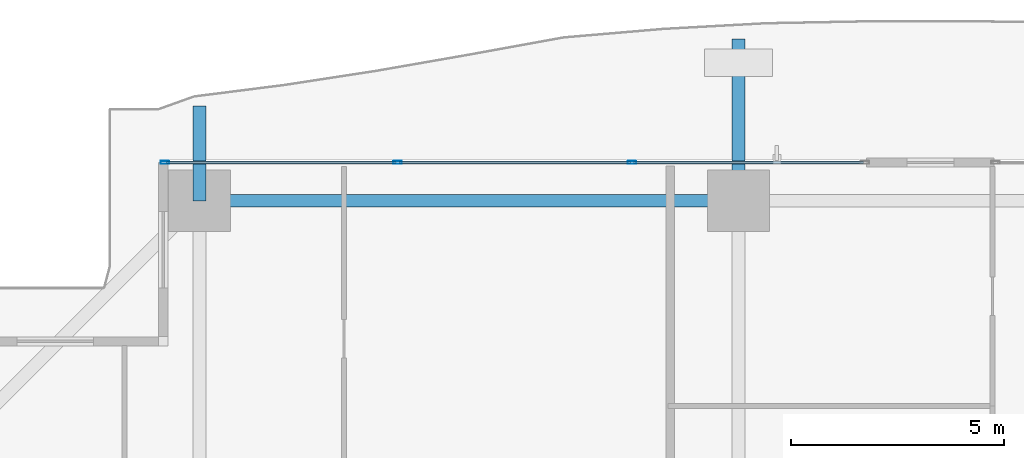
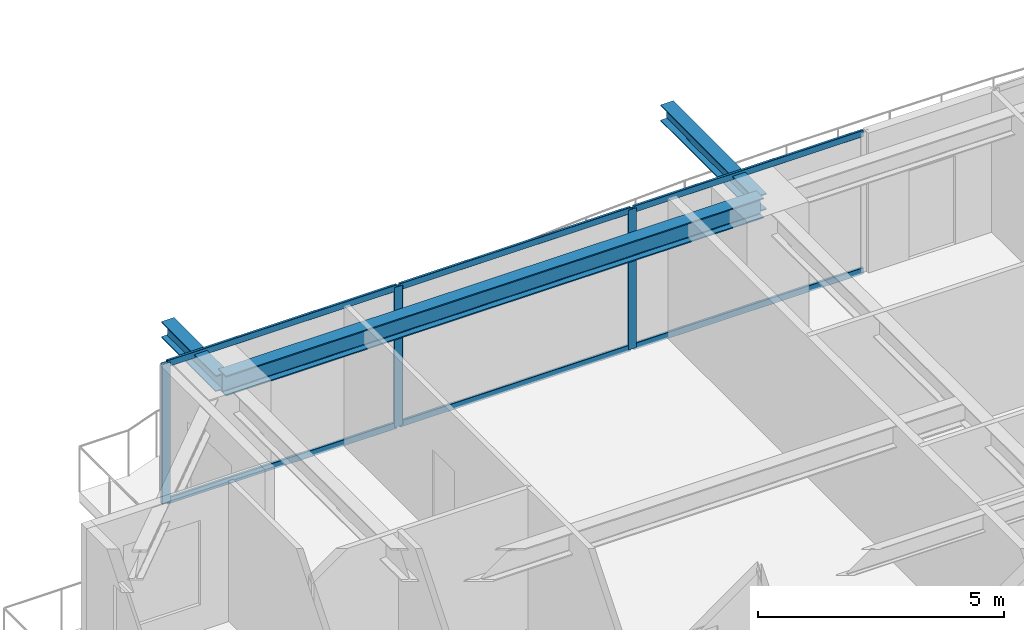
# One storey, part 20 of 38: 9 members, 3 beams, 1 element without a shape of its own.
"""IFC4 building model written with IfcOpenShell, lengths in metres."""

from ifc_helpers import new_model, si_unit, direction, frame, origin, origin_2d, place, context, subcontext, project, spatial, hollow_rectangle, i_section, extrude, source, transform, mapped, material, layer, layer_set, material_profile, profile_set, type_object, element, aggregate, save


model = new_model("IFC4")

# Units and contexts
model_context = context("Model", 3, precision=1e-05, world=origin(), true_north=direction((0.0, 1.0)))
body_context = subcontext(model_context, "Body", "Model", "MODEL_VIEW")
ifc_project = project(units=[si_unit("LENGTHUNIT", "METRE"), si_unit("AREAUNIT", "SQUARE_METRE"), si_unit("VOLUMEUNIT", "CUBIC_METRE"), si_unit("PLANEANGLEUNIT", "RADIAN"), si_unit("MASSUNIT", "GRAM", prefix="KILO")], contexts=[model_context])

# Site, building, storey
site_placement = place(None, origin())
site = spatial("IfcSite", under=ifc_project, at=site_placement, CompositionType="ELEMENT")
building_placement = place(site_placement, origin())
building = spatial("IfcBuilding", under=site, at=building_placement, Name="Serunith Strait Residences", CompositionType="ELEMENT")
storey_placement = place(building_placement, frame((0.0, 0.0, 30.449951171875)))
storey = spatial("IfcBuildingStorey", under=building, at=storey_placement, Name="L06", CompositionType="ELEMENT", Elevation=30.449951171875)

# Beams
ifc_material_1 = material(Name="Steel S355J2", Category="steel")
ifc_material_profile_1 = material_profile(ifc_material_1, i_section(OverallWidth=0.300048828125, OverallDepth=0.5, WebThickness=0.014404296875, FlangeThickness=0.028076171875, FilletRadius=0.027099609375, at=origin_2d()), Name="HEB 500")
ifc_profile_set_1 = profile_set([ifc_material_profile_1], Name="Steel S355J2")
beam_type_1 = type_object("IfcBeamType", Name="BM-HEB500", PredefinedType="BEAM", material=ifc_profile_set_1)
shared_shape_1 = source(origin(), body_context, "Body", "SweptSolid", [
    extrude(i_section(OverallWidth=0.300048828125, OverallDepth=0.5, WebThickness=0.014404296875, FlangeThickness=0.028076171875, FilletRadius=0.027099609375, at=origin_2d()), origin(), (0.0, 0.0, 1.0), 12.64990234375),
])
beam_1_placement = place(storey_placement, frame((27.89990234375, 49.300048828125, 3.237060546875), z_axis=(-1.0, 0.0, 0.0), x_axis=(0.0, -1.0, 0.0)))
element("IfcBeam", 1, at=beam_1_placement, inside=storey, type_object=beam_type_1, Name="L06 Perimeter Ring Beam 11", PredefinedType="BEAM", context=body_context, shape_type="MappedRepresentation", body=[
    mapped(shared_shape_1, transform((0.0, 0.0, 0.0), scale=1.0)),
])
ifc_material_profile_2 = material_profile(ifc_material_1, i_section(OverallWidth=0.300048828125, OverallDepth=0.39990234375, WebThickness=0.013427734375, FlangeThickness=0.02392578125, FilletRadius=0.027099609375, at=origin_2d()), Name="HEB 400")
ifc_profile_set_2 = profile_set([ifc_material_profile_2], Name="Steel S355J2")
beam_type_2 = type_object("IfcBeamType", Name="BM-HEB400", PredefinedType="BEAM", material=ifc_profile_set_2)
shared_shape_2 = source(origin(), body_context, "Body", "SweptSolid", [
    extrude(i_section(OverallWidth=0.300048828125, OverallDepth=0.39990234375, WebThickness=0.013427734375, FlangeThickness=0.02392578125, FilletRadius=0.027099609375, at=origin_2d()), origin(), (0.0, 0.0, 1.0), 2.22216796875),
])
beam_2_placement = place(storey_placement, frame((15.25, 49.300048828125, 3.257080078125), z_axis=(0.0, 1.0, 0.0), x_axis=(-1.0, 0.0, 0.0)))
element("IfcBeam", 2, at=beam_2_placement, inside=storey, type_object=beam_type_2, Name="L07 Cantilevered Balcony Rib TC-N1", PredefinedType="BEAM", context=body_context, shape_type="MappedRepresentation", body=[
    mapped(shared_shape_2, transform((0.0, 0.0, 0.0), scale=1.0)),
])
shared_shape_3 = source(origin(), body_context, "Body", "SweptSolid", [
    extrude(i_section(OverallWidth=0.300048828125, OverallDepth=0.39990234375, WebThickness=0.013427734375, FlangeThickness=0.02392578125, FilletRadius=0.027099609375, at=origin_2d()), origin(), (0.0, 0.0, 1.0), 3.800048828125),
])
beam_3_placement = place(storey_placement, frame((27.89990234375, 49.300048828125, 3.257080078125), z_axis=(0.0, 1.0, 0.0), x_axis=(-1.0, 0.0, 0.0)))
element("IfcBeam", 3, at=beam_3_placement, inside=storey, type_object=beam_type_2, Name="L07 Cantilevered Balcony Rib TC-N2", PredefinedType="BEAM", context=body_context, shape_type="MappedRepresentation", body=[
    mapped(shared_shape_3, transform((0.0, 0.0, 0.0), scale=1.0)),
])

# Curtain wall, members
ifc_material_2 = material(Name="Pale-Champagne Anodised Aluminium", Category="aluminium")
ifc_layer = layer(ifc_material_2, 0.199951171875, Name="Pale-Champagne Anodised Aluminium")
ifc_layer_set = layer_set([ifc_layer], Name="Pale-Champagne Anodised Aluminium")
curtain_wall_type = type_object("IfcCurtainWallType", Name="CW-SYS1", PredefinedType="NOTDEFINED", material=ifc_layer_set)
curtain_wall_placement = place(storey_placement, origin())
curtain_wall = element("IfcCurtainWall", 4, at=curtain_wall_placement, inside=storey, type_object=curtain_wall_type, Name="L06 N Unitised Fritted Curtain Wall", PredefinedType="NOTDEFINED")
ifc_material_profile_3 = material_profile(ifc_material_2, hollow_rectangle(XDim=0.070068359375, YDim=0.199951171875, WallThickness=0.00390625, InnerFilletRadius=0.006103515625, OuterFilletRadius=0.010009765625, at=origin_2d()), Name="ALU 200x70x4")
ifc_profile_set_3 = profile_set([ifc_material_profile_3], Name="Pale-Champagne Anodised Aluminium")
member_type_1 = type_object("IfcMemberType", Name="CW-SYS1-MULL", PredefinedType="MULLION", material=ifc_profile_set_3)
shared_shape_4 = source(origin(), body_context, "Body", "SweptSolid", [
    extrude(hollow_rectangle(XDim=0.070068359375, YDim=0.199951171875, WallThickness=0.00390625, InnerFilletRadius=0.006103515625, OuterFilletRadius=0.010009765625, at=origin_2d()), origin(), (0.0, 0.0, 1.0), 3.47509765625),
])
member_1_placement = place(storey_placement, frame((25.39990234375, 50.199951171875, 0.0), z_axis=(0.0, 0.0, 1.0), x_axis=(0.0, -1.0, 0.0)))
member_1 = element("IfcMember", 5, at=member_1_placement, type_object=member_type_1, Name="CW-1 mullion 2", PredefinedType="MULLION", context=body_context, shape_type="MappedRepresentation", body=[
    mapped(shared_shape_4, transform((0.0, 0.0, 0.0), scale=1.0)),
])
member_2_placement = place(storey_placement, frame((19.89990234375, 50.199951171875, 0.0), z_axis=(0.0, 0.0, 1.0), x_axis=(0.0, -1.0, 0.0)))
member_2 = element("IfcMember", 6, at=member_2_placement, type_object=member_type_1, Name="CW-1 mullion 3", PredefinedType="MULLION", context=body_context, shape_type="MappedRepresentation", body=[
    mapped(shared_shape_4, transform((0.0, 0.0, 0.0), scale=1.0)),
])
member_3_placement = place(storey_placement, frame((14.43505859375, 50.199951171875, 0.0), z_axis=(0.0, 0.0, 1.0), x_axis=(0.0, -1.0, 0.0)))
member_3 = element("IfcMember", 7, at=member_3_placement, type_object=member_type_1, Name="CW-1 mullion 4", PredefinedType="MULLION", context=body_context, shape_type="MappedRepresentation", body=[
    mapped(shared_shape_4, transform((0.0, 0.0, 0.0), scale=1.0)),
])
ifc_material_profile_4 = material_profile(ifc_material_2, hollow_rectangle(XDim=0.06005859375, YDim=0.159912109375, WallThickness=0.00341796875, InnerFilletRadius=0.00537109375, OuterFilletRadius=0.0087890625, at=origin_2d()), Name="ALU 160x60x3.5")
ifc_profile_set_4 = profile_set([ifc_material_profile_4], Name="Pale-Champagne Anodised Aluminium")
member_type_2 = type_object("IfcMemberType", Name="CW-SYS1-TRAN", PredefinedType="USERDEFINED", material=ifc_profile_set_4)
shared_shape_5 = source(origin(), body_context, "Body", "SweptSolid", [
    extrude(hollow_rectangle(XDim=0.06005859375, YDim=0.159912109375, WallThickness=0.00341796875, InnerFilletRadius=0.00537109375, OuterFilletRadius=0.0087890625, at=origin_2d()), origin(), (0.0, 0.0, 1.0), 5.39501953125),
])
member_4_placement = place(storey_placement, frame((30.830078125, 50.199951171875, 0.030029296875), z_axis=(-1.0, 0.0, 0.0), x_axis=(0.0, -1.0, 0.0)))
member_4 = element("IfcMember", 8, at=member_4_placement, type_object=member_type_2, Name="CW-1 transom 1.1", ObjectType="TRANSOM", PredefinedType="USERDEFINED", context=body_context, shape_type="MappedRepresentation", body=[
    mapped(shared_shape_5, transform((0.0, 0.0, 0.0), scale=1.0)),
])
member_5_placement = place(storey_placement, frame((30.830078125, 50.199951171875, 3.445068359375), z_axis=(-1.0, 0.0, 0.0), x_axis=(0.0, -1.0, 0.0)))
member_5 = element("IfcMember", 9, at=member_5_placement, type_object=member_type_2, Name="CW-1 transom 1.2", ObjectType="TRANSOM", PredefinedType="USERDEFINED", context=body_context, shape_type="MappedRepresentation", body=[
    mapped(shared_shape_5, transform((0.0, 0.0, 0.0), scale=1.0)),
])
member_6_placement = place(storey_placement, frame((19.864990234375, 50.199951171875, 0.030029296875), z_axis=(-1.0, 0.0, 0.0), x_axis=(0.0, -1.0, 0.0)))
member_6 = element("IfcMember", 10, at=member_6_placement, type_object=member_type_2, Name="CW-1 transom 3.1", ObjectType="TRANSOM", PredefinedType="USERDEFINED", context=body_context, shape_type="MappedRepresentation", body=[
    mapped(shared_shape_5, transform((0.0, 0.0, 0.0), scale=1.0)),
])
member_7_placement = place(storey_placement, frame((19.864990234375, 50.199951171875, 3.445068359375), z_axis=(-1.0, 0.0, 0.0), x_axis=(0.0, -1.0, 0.0)))
member_7 = element("IfcMember", 11, at=member_7_placement, type_object=member_type_2, Name="CW-1 transom 3.2", ObjectType="TRANSOM", PredefinedType="USERDEFINED", context=body_context, shape_type="MappedRepresentation", body=[
    mapped(shared_shape_5, transform((0.0, 0.0, 0.0), scale=1.0)),
])
shared_shape_6 = source(origin(), body_context, "Body", "SweptSolid", [
    extrude(hollow_rectangle(XDim=0.06005859375, YDim=0.159912109375, WallThickness=0.00341796875, InnerFilletRadius=0.00537109375, OuterFilletRadius=0.0087890625, at=origin_2d()), origin(), (0.0, 0.0, 1.0), 5.429931640625),
])
member_8_placement = place(storey_placement, frame((25.364990234375, 50.199951171875, 0.030029296875), z_axis=(-1.0, 0.0, 0.0), x_axis=(0.0, -1.0, 0.0)))
member_8 = element("IfcMember", 12, at=member_8_placement, type_object=member_type_2, Name="CW-1 transom 2.1", ObjectType="TRANSOM", PredefinedType="USERDEFINED", context=body_context, shape_type="MappedRepresentation", body=[
    mapped(shared_shape_6, transform((0.0, 0.0, 0.0), scale=1.0)),
])
member_9_placement = place(storey_placement, frame((25.364990234375, 50.199951171875, 3.445068359375), z_axis=(-1.0, 0.0, 0.0), x_axis=(0.0, -1.0, 0.0)))
member_9 = element("IfcMember", 13, at=member_9_placement, type_object=member_type_2, Name="CW-1 transom 2.2", ObjectType="TRANSOM", PredefinedType="USERDEFINED", context=body_context, shape_type="MappedRepresentation", body=[
    mapped(shared_shape_6, transform((0.0, 0.0, 0.0), scale=1.0)),
])
aggregate(curtain_wall, [member_1, member_2, member_3, member_4, member_5, member_8, member_9, member_6, member_7])

save(model, "model.ifc")
